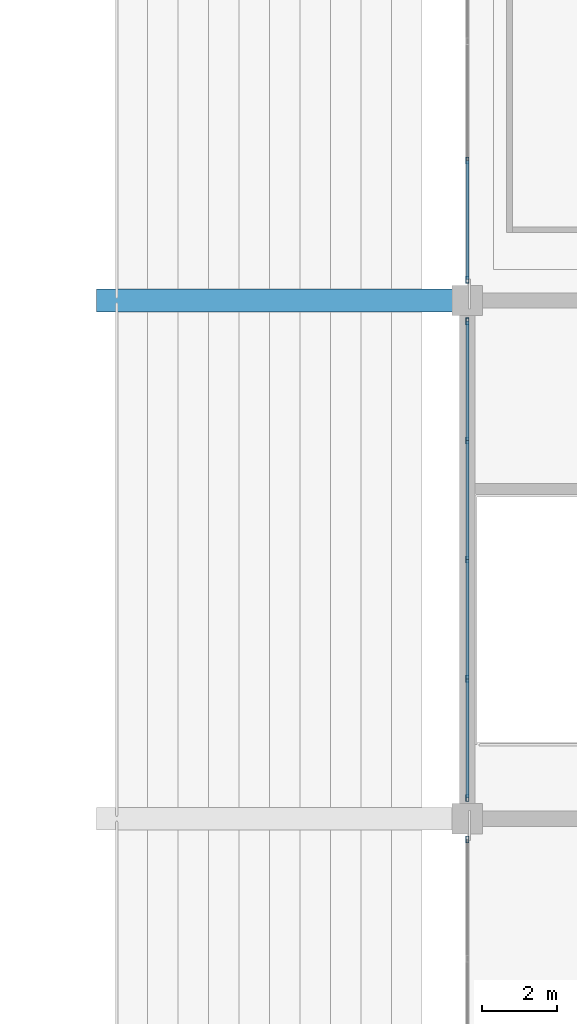
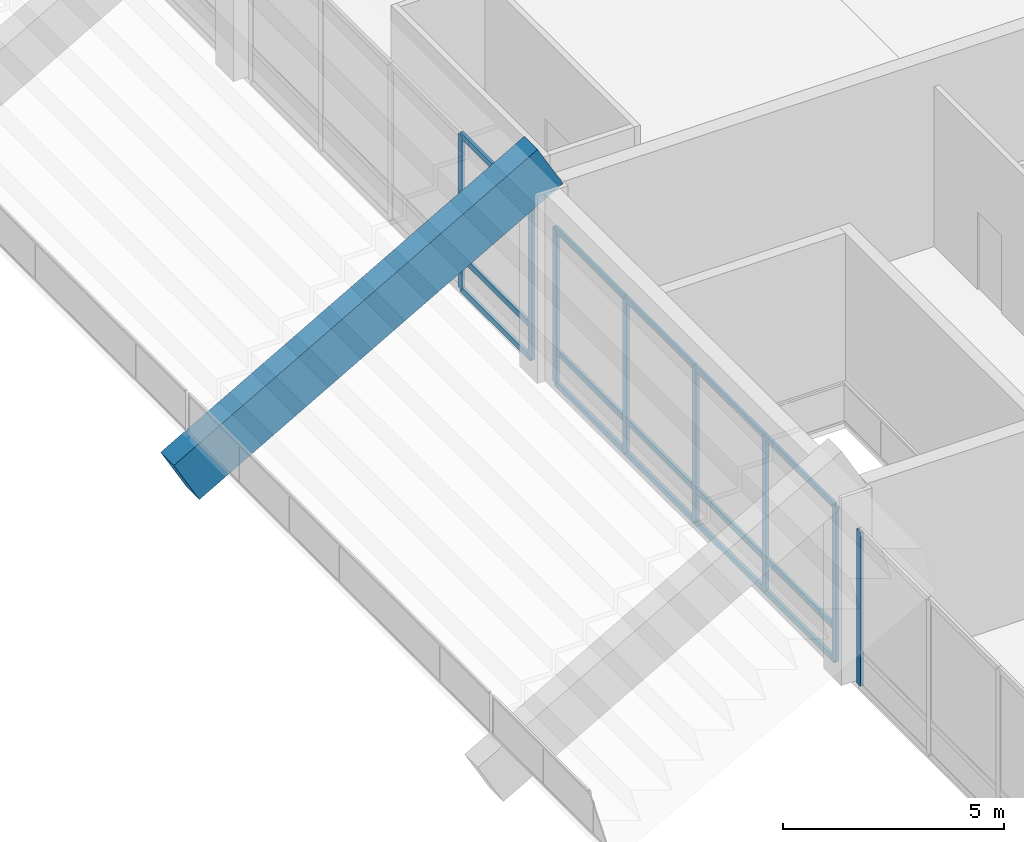
# One storey, part 39 of 90: 23 members, 1 beam, 3 elements without a shape of their own.
"""IFC4 building model written with IfcOpenShell, lengths in metres."""

from ifc_helpers import new_model, si_unit, direction, frame, origin, origin_2d, place, context, subcontext, project, spatial, rectangle, hollow_rectangle, extrude, material, material_profile, profile_set, type_object, element, aggregate, save


model = new_model("IFC4")

# Units and contexts
model_context = context("Model", 3, precision=1e-05, world=origin(), true_north=direction((0.0, 1.0)))
body_context = subcontext(model_context, "Body", "Model", "MODEL_VIEW")
ifc_project = project(units=[si_unit("LENGTHUNIT", "METRE"), si_unit("AREAUNIT", "SQUARE_METRE"), si_unit("VOLUMEUNIT", "CUBIC_METRE"), si_unit("PLANEANGLEUNIT", "RADIAN"), si_unit("MASSUNIT", "GRAM", prefix="KILO")], contexts=[model_context])

# Site, building, storey
site_placement = place(None, origin())
site = spatial("IfcSite", under=ifc_project, at=site_placement, CompositionType="ELEMENT")
building_placement = place(site_placement, origin())
building = spatial("IfcBuilding", under=site, at=building_placement, Name="Linyun Crest Stadium", CompositionType="ELEMENT")
storey_placement = place(building_placement, frame((0.0, 0.0, 21.0)))
storey = spatial("IfcBuildingStorey", under=building, at=storey_placement, Name="L05", CompositionType="ELEMENT", Elevation=21.0)

# Curtain wall, member
ifc_material_1 = material(Name="Verdigris steel and low-E curtain wall assembly", Category="steel")
curtain_wall_type = type_object("IfcCurtainWallType", Name="MCW01", PredefinedType="NOTDEFINED", material=ifc_material_1)
curtain_wall_1_placement = place(storey_placement, origin())
curtain_wall_1 = element("IfcCurtainWall", 1, at=curtain_wall_1_placement, inside=storey, type_object=curtain_wall_type, Name="CWR-099", PredefinedType="NOTDEFINED")
ifc_material_2 = material(Name="Verdigris painted steel Q355B mullion", Category="steel")
ifc_material_profile_1 = material_profile(ifc_material_2, hollow_rectangle(XDim=0.080078125, YDim=0.179931640625, WallThickness=0.006103515625, at=origin_2d()), Name="RHS 180x80x6")
ifc_profile_set_1 = profile_set([ifc_material_profile_1], Name="Verdigris painted steel Q355B mullion")
member_type_1 = type_object("IfcMemberType", Name="ML02", PredefinedType="MULLION", material=ifc_profile_set_1)
member_1_placement = place(storey_placement, frame((70.0, 1.574951171875, 0.0), z_axis=(0.0, 0.0, 1.0), x_axis=(-1.0, 0.0, 0.0)))
member_1 = element("IfcMember", 2, at=member_1_placement, type_object=member_type_1, Name="CWR-099 mullion 5", PredefinedType="MULLION", context=body_context, shape_type="SweptSolid", body=[
    extrude(hollow_rectangle(XDim=0.080078125, YDim=0.179931640625, WallThickness=0.006103515625, at=origin_2d()), origin(), (0.0, 0.0, 1.0), 4.25),
])
aggregate(curtain_wall_1, [member_1])

# Curtain wall, members
curtain_wall_2_placement = place(storey_placement, origin())
curtain_wall_2 = element("IfcCurtainWall", 3, at=curtain_wall_2_placement, inside=storey, type_object=curtain_wall_type, Name="CWR-108", PredefinedType="NOTDEFINED")
member_2_placement = place(storey_placement, frame((70.0, 2.675048828125, 0.0), z_axis=(0.0, 0.0, 1.0), x_axis=(-1.0, 0.0, 0.0)))
member_2 = element("IfcMember", 4, at=member_2_placement, type_object=member_type_1, Name="CWR-108 mullion 1", PredefinedType="MULLION", context=body_context, shape_type="SweptSolid", body=[
    extrude(hollow_rectangle(XDim=0.080078125, YDim=0.179931640625, WallThickness=0.006103515625, at=origin_2d()), origin(), (0.0, 0.0, 1.0), 4.25),
])
member_3_placement = place(storey_placement, frame((70.0, 5.8369140625, 0.0), z_axis=(0.0, 0.0, 1.0), x_axis=(-1.0, 0.0, 0.0)))
member_3 = element("IfcMember", 5, at=member_3_placement, type_object=member_type_1, Name="CWR-108 mullion 2", PredefinedType="MULLION", context=body_context, shape_type="SweptSolid", body=[
    extrude(hollow_rectangle(XDim=0.080078125, YDim=0.179931640625, WallThickness=0.006103515625, at=origin_2d()), origin(), (0.0, 0.0, 1.0), 4.25),
])
member_4_placement = place(storey_placement, frame((70.0, 9.0, 0.0), z_axis=(0.0, 0.0, 1.0), x_axis=(-1.0, 0.0, 0.0)))
member_4 = element("IfcMember", 6, at=member_4_placement, type_object=member_type_1, Name="CWR-108 mullion 3", PredefinedType="MULLION", context=body_context, shape_type="SweptSolid", body=[
    extrude(hollow_rectangle(XDim=0.080078125, YDim=0.179931640625, WallThickness=0.006103515625, at=origin_2d()), origin(), (0.0, 0.0, 1.0), 4.25),
])
member_5_placement = place(storey_placement, frame((70.0, 12.162109375, 0.0), z_axis=(0.0, 0.0, 1.0), x_axis=(-1.0, 0.0, 0.0)))
member_5 = element("IfcMember", 7, at=member_5_placement, type_object=member_type_1, Name="CWR-108 mullion 4", PredefinedType="MULLION", context=body_context, shape_type="SweptSolid", body=[
    extrude(hollow_rectangle(XDim=0.080078125, YDim=0.179931640625, WallThickness=0.006103515625, at=origin_2d()), origin(), (0.0, 0.0, 1.0), 4.25),
])
member_6_placement = place(storey_placement, frame((70.0, 15.324951171875, 0.0), z_axis=(0.0, 0.0, 1.0), x_axis=(-1.0, 0.0, 0.0)))
member_6 = element("IfcMember", 8, at=member_6_placement, type_object=member_type_1, Name="CWR-108 mullion 5", PredefinedType="MULLION", context=body_context, shape_type="SweptSolid", body=[
    extrude(hollow_rectangle(XDim=0.080078125, YDim=0.179931640625, WallThickness=0.006103515625, at=origin_2d()), origin(), (0.0, 0.0, 1.0), 4.25),
])

curtain_wall_3_placement = place(storey_placement, origin())
curtain_wall_3 = element("IfcCurtainWall", 9, at=curtain_wall_3_placement, inside=storey, type_object=curtain_wall_type, Name="CWR-117", PredefinedType="NOTDEFINED")
member_7_placement = place(storey_placement, frame((70.0, 16.425048828125, 0.0), z_axis=(0.0, 0.0, 1.0), x_axis=(-1.0, 0.0, 0.0)))
member_7 = element("IfcMember", 10, at=member_7_placement, type_object=member_type_1, Name="CWR-117 mullion 1", PredefinedType="MULLION", context=body_context, shape_type="SweptSolid", body=[
    extrude(hollow_rectangle(XDim=0.080078125, YDim=0.179931640625, WallThickness=0.006103515625, at=origin_2d()), origin(), (0.0, 0.0, 1.0), 4.25),
])
member_8_placement = place(storey_placement, frame((70.0, 19.587890625, 0.0), z_axis=(0.0, 0.0, 1.0), x_axis=(-1.0, 0.0, 0.0)))
member_8 = element("IfcMember", 11, at=member_8_placement, type_object=member_type_1, Name="CWR-117 mullion 2", PredefinedType="MULLION", context=body_context, shape_type="SweptSolid", body=[
    extrude(hollow_rectangle(XDim=0.080078125, YDim=0.179931640625, WallThickness=0.006103515625, at=origin_2d()), origin(), (0.0, 0.0, 1.0), 4.25),
])

# Beam
ifc_material_3 = material(Name="Precast concrete C50", Category="concrete")
ifc_material_profile_2 = material_profile(ifc_material_3, rectangle(XDim=0.60009765625, YDim=1.35009765625, at=origin_2d()), Name="PCR 1350x600")
ifc_profile_set_2 = profile_set([ifc_material_profile_2], Name="Precast concrete C50")
beam_type = type_object("IfcBeamType", Name="RB03", PredefinedType="USERDEFINED", material=ifc_profile_set_2)
beam_placement = place(storey_placement, frame((60.5, 15.875, 0.39990234375), z_axis=(0.869361451527, 0.0, 0.494176756433), x_axis=(0.0, 1.0, 0.0)))
element("IfcBeam", 12, at=beam_placement, inside=storey, type_object=beam_type, Name="Precast raker beam RB03 V2 48", ObjectType="RAKER", PredefinedType="USERDEFINED", context=body_context, shape_type="SweptSolid", body=[
    extrude(rectangle(XDim=0.60009765625, YDim=1.35009765625, at=origin_2d()), origin(), (0.0, 0.0, 1.0), 10.927490234375),
])

# Member
ifc_material_4 = material(Name="Aluminium thermally broken transom", Category="aluminium")
ifc_material_profile_3 = material_profile(ifc_material_4, hollow_rectangle(XDim=0.080078125, YDim=0.159912109375, WallThickness=0.006103515625, at=origin_2d()), Name="RHS 160x80x6")
ifc_profile_set_3 = profile_set([ifc_material_profile_3], Name="Aluminium thermally broken transom")
member_type_2 = type_object("IfcMemberType", Name="TR01", PredefinedType="USERDEFINED", material=ifc_profile_set_3)
member_9_placement = place(storey_placement, frame((70.0, 2.675048828125, 0.0), z_axis=(0.0, 1.0, 0.0), x_axis=(-1.0, 0.0, 0.0)))
member_9 = element("IfcMember", 13, at=member_9_placement, type_object=member_type_2, Name="CWR-108 transom 1.1", ObjectType="TRANSOM", PredefinedType="USERDEFINED", context=body_context, shape_type="SweptSolid", body=[
    extrude(hollow_rectangle(XDim=0.080078125, YDim=0.159912109375, WallThickness=0.006103515625, at=origin_2d()), origin(), (0.0, 0.0, 1.0), 3.161865234375),
])

member_10_placement = place(storey_placement, frame((70.0, 2.675048828125, 0.89990234375), z_axis=(0.0, 1.0, 0.0), x_axis=(-1.0, 0.0, 0.0)))
member_10 = element("IfcMember", 14, at=member_10_placement, type_object=member_type_2, Name="CWR-108 transom 1.2", ObjectType="TRANSOM", PredefinedType="USERDEFINED", context=body_context, shape_type="SweptSolid", body=[
    extrude(hollow_rectangle(XDim=0.080078125, YDim=0.159912109375, WallThickness=0.006103515625, at=origin_2d()), origin(), (0.0, 0.0, 1.0), 3.161865234375),
])

member_11_placement = place(storey_placement, frame((70.0, 2.675048828125, 4.25), z_axis=(0.0, 1.0, 0.0), x_axis=(-1.0, 0.0, 0.0)))
member_11 = element("IfcMember", 15, at=member_11_placement, type_object=member_type_2, Name="CWR-108 transom 1.3", ObjectType="TRANSOM", PredefinedType="USERDEFINED", context=body_context, shape_type="SweptSolid", body=[
    extrude(hollow_rectangle(XDim=0.080078125, YDim=0.159912109375, WallThickness=0.006103515625, at=origin_2d()), origin(), (0.0, 0.0, 1.0), 3.161865234375),
])

member_12_placement = place(storey_placement, frame((70.0, 5.8369140625, 0.0), z_axis=(0.0, 1.0, 0.0), x_axis=(-1.0, 0.0, 0.0)))
member_12 = element("IfcMember", 16, at=member_12_placement, type_object=member_type_2, Name="CWR-108 transom 2.1", ObjectType="TRANSOM", PredefinedType="USERDEFINED", context=body_context, shape_type="SweptSolid", body=[
    extrude(hollow_rectangle(XDim=0.080078125, YDim=0.159912109375, WallThickness=0.006103515625, at=origin_2d()), origin(), (0.0, 0.0, 1.0), 3.1630859375),
])

member_13_placement = place(storey_placement, frame((70.0, 5.8369140625, 0.89990234375), z_axis=(0.0, 1.0, 0.0), x_axis=(-1.0, 0.0, 0.0)))
member_13 = element("IfcMember", 17, at=member_13_placement, type_object=member_type_2, Name="CWR-108 transom 2.2", ObjectType="TRANSOM", PredefinedType="USERDEFINED", context=body_context, shape_type="SweptSolid", body=[
    extrude(hollow_rectangle(XDim=0.080078125, YDim=0.159912109375, WallThickness=0.006103515625, at=origin_2d()), origin(), (0.0, 0.0, 1.0), 3.1630859375),
])

member_14_placement = place(storey_placement, frame((70.0, 5.8369140625, 4.25), z_axis=(0.0, 1.0, 0.0), x_axis=(-1.0, 0.0, 0.0)))
member_14 = element("IfcMember", 18, at=member_14_placement, type_object=member_type_2, Name="CWR-108 transom 2.3", ObjectType="TRANSOM", PredefinedType="USERDEFINED", context=body_context, shape_type="SweptSolid", body=[
    extrude(hollow_rectangle(XDim=0.080078125, YDim=0.159912109375, WallThickness=0.006103515625, at=origin_2d()), origin(), (0.0, 0.0, 1.0), 3.1630859375),
])

member_15_placement = place(storey_placement, frame((70.0, 9.0, 0.0), z_axis=(0.0, 1.0, 0.0), x_axis=(-1.0, 0.0, 0.0)))
member_15 = element("IfcMember", 19, at=member_15_placement, type_object=member_type_2, Name="CWR-108 transom 3.1", ObjectType="TRANSOM", PredefinedType="USERDEFINED", context=body_context, shape_type="SweptSolid", body=[
    extrude(hollow_rectangle(XDim=0.080078125, YDim=0.159912109375, WallThickness=0.006103515625, at=origin_2d()), origin(), (0.0, 0.0, 1.0), 3.162109375),
])

member_16_placement = place(storey_placement, frame((70.0, 9.0, 0.89990234375), z_axis=(0.0, 1.0, 0.0), x_axis=(-1.0, 0.0, 0.0)))
member_16 = element("IfcMember", 20, at=member_16_placement, type_object=member_type_2, Name="CWR-108 transom 3.2", ObjectType="TRANSOM", PredefinedType="USERDEFINED", context=body_context, shape_type="SweptSolid", body=[
    extrude(hollow_rectangle(XDim=0.080078125, YDim=0.159912109375, WallThickness=0.006103515625, at=origin_2d()), origin(), (0.0, 0.0, 1.0), 3.162109375),
])

member_17_placement = place(storey_placement, frame((70.0, 9.0, 4.25), z_axis=(0.0, 1.0, 0.0), x_axis=(-1.0, 0.0, 0.0)))
member_17 = element("IfcMember", 21, at=member_17_placement, type_object=member_type_2, Name="CWR-108 transom 3.3", ObjectType="TRANSOM", PredefinedType="USERDEFINED", context=body_context, shape_type="SweptSolid", body=[
    extrude(hollow_rectangle(XDim=0.080078125, YDim=0.159912109375, WallThickness=0.006103515625, at=origin_2d()), origin(), (0.0, 0.0, 1.0), 3.162109375),
])

member_18_placement = place(storey_placement, frame((70.0, 12.162109375, 0.0), z_axis=(0.0, 1.0, 0.0), x_axis=(-1.0, 0.0, 0.0)))
member_18 = element("IfcMember", 22, at=member_18_placement, type_object=member_type_2, Name="CWR-108 transom 4.1", ObjectType="TRANSOM", PredefinedType="USERDEFINED", context=body_context, shape_type="SweptSolid", body=[
    extrude(hollow_rectangle(XDim=0.080078125, YDim=0.159912109375, WallThickness=0.006103515625, at=origin_2d()), origin(), (0.0, 0.0, 1.0), 3.162841796875),
])

member_19_placement = place(storey_placement, frame((70.0, 12.162109375, 0.89990234375), z_axis=(0.0, 1.0, 0.0), x_axis=(-1.0, 0.0, 0.0)))
member_19 = element("IfcMember", 23, at=member_19_placement, type_object=member_type_2, Name="CWR-108 transom 4.2", ObjectType="TRANSOM", PredefinedType="USERDEFINED", context=body_context, shape_type="SweptSolid", body=[
    extrude(hollow_rectangle(XDim=0.080078125, YDim=0.159912109375, WallThickness=0.006103515625, at=origin_2d()), origin(), (0.0, 0.0, 1.0), 3.162841796875),
])

member_20_placement = place(storey_placement, frame((70.0, 12.162109375, 4.25), z_axis=(0.0, 1.0, 0.0), x_axis=(-1.0, 0.0, 0.0)))
member_20 = element("IfcMember", 24, at=member_20_placement, type_object=member_type_2, Name="CWR-108 transom 4.3", ObjectType="TRANSOM", PredefinedType="USERDEFINED", context=body_context, shape_type="SweptSolid", body=[
    extrude(hollow_rectangle(XDim=0.080078125, YDim=0.159912109375, WallThickness=0.006103515625, at=origin_2d()), origin(), (0.0, 0.0, 1.0), 3.162841796875),
])

aggregate(curtain_wall_2, [member_2, member_3, member_4, member_5, member_6, member_9, member_10, member_11, member_12, member_13, member_14, member_15, member_16, member_17, member_18, member_19, member_20])

member_21_placement = place(storey_placement, frame((70.0, 16.425048828125, 0.0), z_axis=(0.0, 1.0, 0.0), x_axis=(-1.0, 0.0, 0.0)))
member_21 = element("IfcMember", 25, at=member_21_placement, type_object=member_type_2, Name="CWR-117 transom 1.1", ObjectType="TRANSOM", PredefinedType="USERDEFINED", context=body_context, shape_type="SweptSolid", body=[
    extrude(hollow_rectangle(XDim=0.080078125, YDim=0.159912109375, WallThickness=0.006103515625, at=origin_2d()), origin(), (0.0, 0.0, 1.0), 3.162841796875),
])

member_22_placement = place(storey_placement, frame((70.0, 16.425048828125, 0.89990234375), z_axis=(0.0, 1.0, 0.0), x_axis=(-1.0, 0.0, 0.0)))
member_22 = element("IfcMember", 26, at=member_22_placement, type_object=member_type_2, Name="CWR-117 transom 1.2", ObjectType="TRANSOM", PredefinedType="USERDEFINED", context=body_context, shape_type="SweptSolid", body=[
    extrude(hollow_rectangle(XDim=0.080078125, YDim=0.159912109375, WallThickness=0.006103515625, at=origin_2d()), origin(), (0.0, 0.0, 1.0), 3.162841796875),
])

member_23_placement = place(storey_placement, frame((70.0, 16.425048828125, 4.25), z_axis=(0.0, 1.0, 0.0), x_axis=(-1.0, 0.0, 0.0)))
member_23 = element("IfcMember", 27, at=member_23_placement, type_object=member_type_2, Name="CWR-117 transom 1.3", ObjectType="TRANSOM", PredefinedType="USERDEFINED", context=body_context, shape_type="SweptSolid", body=[
    extrude(hollow_rectangle(XDim=0.080078125, YDim=0.159912109375, WallThickness=0.006103515625, at=origin_2d()), origin(), (0.0, 0.0, 1.0), 3.162841796875),
])

aggregate(curtain_wall_3, [member_7, member_8, member_21, member_22, member_23])

save(model, "model.ifc")
